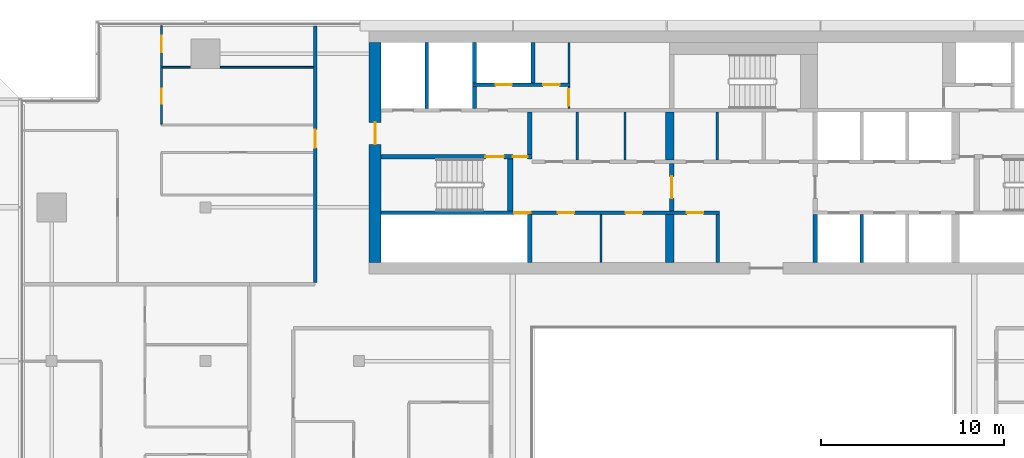
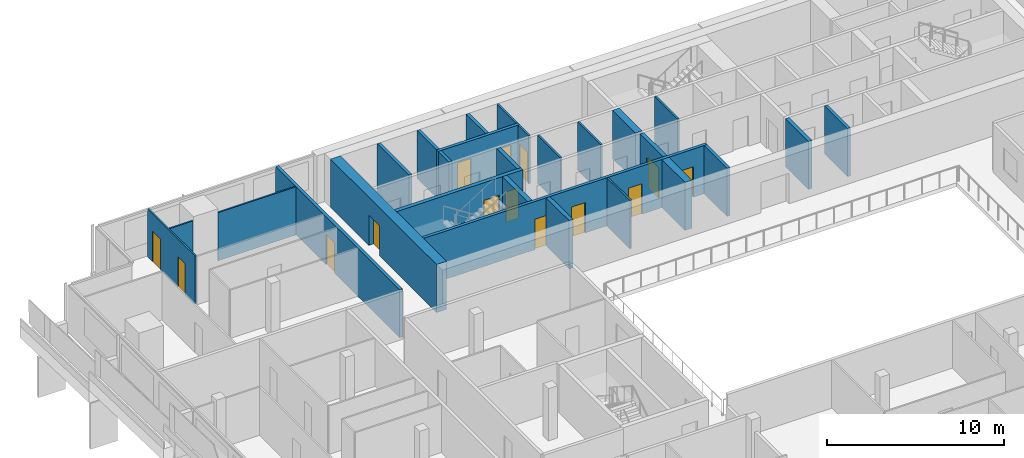
# One storey, part 20 of 28: 27 walls, 14 doors, 14 openings.
"""IFC4 building model written with IfcOpenShell, lengths in metres."""

from ifc_helpers import new_model, si_unit, direction, frame, frame_2d, origin, place, context, subcontext, project, spatial, rectangle, extrude, material, layer, layer_set, type_object, element, fill, save


model = new_model("IFC4")

# Units and contexts
model_context = context("Model", 3, precision=1e-05, world=origin(), true_north=direction((0.0, 1.0)))
body_context = subcontext(model_context, "Body", "Model", "MODEL_VIEW")
ifc_project = project(units=[si_unit("LENGTHUNIT", "METRE"), si_unit("AREAUNIT", "SQUARE_METRE"), si_unit("VOLUMEUNIT", "CUBIC_METRE"), si_unit("PLANEANGLEUNIT", "RADIAN"), si_unit("MASSUNIT", "GRAM", prefix="KILO")], contexts=[model_context])

# Site, building, storey
site_placement = place(None, origin())
site = spatial("IfcSite", under=ifc_project, at=site_placement, CompositionType="ELEMENT")
building_placement = place(site_placement, origin())
building = spatial("IfcBuilding", under=site, at=building_placement, Name="Saffron Gate Tower", CompositionType="ELEMENT")
storey_placement = place(building_placement, frame((0.0, 0.0, 241.5)))
storey = spatial("IfcBuildingStorey", under=building, at=storey_placement, Name="L59", CompositionType="ELEMENT", Elevation=241.5)

# Walls
ifc_material_1 = material(Name="Gypsum board partition on steel studs", Category="steel")
ifc_layer_1 = layer(ifc_material_1, 0.199951171875)
ifc_layer_set_1 = layer_set([ifc_layer_1], Name="CW10 Core partition 200")
wall_type_1 = type_object("IfcWallType", Name="CW10 Core partition 200", PredefinedType="PARTITIONING", material=ifc_layer_set_1)
wall_1_placement = place(storey_placement, frame((86.199951171875, 62.39990234375, 0.0), z_axis=(0.0, 0.0, 1.0), x_axis=(0.0, 1.0, 0.0)))
element("IfcWall", 1, at=wall_1_placement, inside=storey, type_object=wall_type_1, Name="Wall CW10-L59-8", PredefinedType="PARTITIONING", context=body_context, shape_type="SweptSolid", body=[
    extrude(rectangle(XDim=2.60009765625, YDim=0.199951171875, at=frame_2d((1.300048828125, 0.0))), origin(), (0.0, 0.0, 1.0), 3.320068359375),
])
ifc_material_2 = material(Name="Concrete C60", Category="concrete")
ifc_layer_2 = layer(ifc_material_2, 0.25)
ifc_layer_set_2 = layer_set([ifc_layer_2], Name="CW14 RC core wall 250 C60")
wall_type_2 = type_object("IfcWallType", Name="CW14 RC core wall 250 C60", PredefinedType="SOLIDWALL", material=ifc_layer_set_2)
for number, where, z_axis, x_axis, name in (
    (2, (75.925048828125, 62.39990234375, 0.0), (0.0, 0.0, 1.0), (0.0, 1.0, 0.0), "Wall CW14-L59-5"),
    (3, (91.52490234375, 62.39990234375, 0.0), (0.0, 0.0, 1.0), (0.0, 1.0, 0.0), "Wall CW14-L59-9"),
):
    element("IfcWall", number, at=place(storey_placement, frame(where, z_axis=z_axis, x_axis=x_axis)), inside=storey, type_object=wall_type_2, Name=name, PredefinedType="SOLIDWALL", context=body_context, shape_type="SweptSolid", body=[
        extrude(rectangle(XDim=2.60009765625, YDim=0.25, at=frame_2d((1.300048828125, 0.0))), origin(), (0.0, 0.0, 1.0), 3.320068359375),
    ])

# Wall, opening, door
wall_2_placement = place(storey_placement, frame((83.675048828125, 65.199951171875, 0.0), z_axis=(0.0, 0.0, 1.0), x_axis=(0.0, 1.0, 0.0)))
wall_2 = element("IfcWall", 4, at=wall_2_placement, inside=storey, type_object=wall_type_2, Name="Wall CW14-L59-16", PredefinedType="SOLIDWALL", context=body_context, shape_type="SweptSolid", body=[
    extrude(rectangle(XDim=2.60009765625, YDim=0.25, at=frame_2d((1.300048828125, 0.0))), origin(), (0.0, 0.0, 1.0), 3.320068359375),
])
opening_1_placement = place(wall_2_placement, frame((0.699951171875, 0.0, 0.0)))
opening_1 = element("IfcOpeningElement", 5, at=opening_1_placement, cuts=wall_2, Name="Opening CR-07", PredefinedType="OPENING", context=body_context, shape_type="SweptSolid", body=[
    extrude(rectangle(XDim=1.199951171875, YDim=2.10009765625, at=frame_2d((0.60009765625, 1.050048828125))), frame((0.0, 0.135009765625, 0.0), z_axis=(0.0, -1.0, 0.0), x_axis=(1.0, 0.0, 0.0)), (0.0, 0.0, 1.0), 0.27001953125),
])
ifc_material_3 = material(Name="Steel fire door set", Category="steel")
door_type_1 = type_object("IfcDoorType", Name="CD3 Lobby door 1200x2100 EI 120", OperationType="NOTDEFINED", PredefinedType="DOOR", material=ifc_material_3)
door_1_placement = place(opening_1_placement, origin())
door_1 = element("IfcDoor", 6, at=door_1_placement, inside=storey, type_object=door_type_1, Name="DOOR CR-07", OperationType="SINGLE_SWING_RIGHT", OverallHeight=2.10009765625, OverallWidth=1.199951171875, PredefinedType="DOOR", context=body_context, shape_type="SweptSolid", body=[
    extrude(rectangle(XDim=1.199951171875, YDim=2.10009765625, at=frame_2d((0.60009765625, 1.050048828125))), frame((0.0, 0.02490234375, 0.0), z_axis=(0.0, -1.0, 0.0), x_axis=(1.0, 0.0, 0.0)), (0.0, 0.0, 1.0), 0.050048828125),
])
fill(opening_1, door_1)

# Wall, openings, doors
wall_3_placement = place(storey_placement, frame((67.800048828125, 68.175048828125, 0.0), z_axis=(0.0, 0.0, 1.0), x_axis=(1.0, 0.0, 0.0)))
wall_3 = element("IfcWall", 7, at=wall_3_placement, inside=storey, type_object=wall_type_2, Name="Wall CW14-L59-29", PredefinedType="SOLIDWALL", context=body_context, shape_type="SweptSolid", body=[
    extrude(rectangle(XDim=8.25, YDim=0.25, at=frame_2d((4.125, 0.0))), origin(), (0.0, 0.0, 1.0), 3.320068359375),
])
opening_2_placement = place(wall_3_placement, frame((5.699951171875, 0.0, 0.0)))
opening_2 = element("IfcOpeningElement", 8, at=opening_2_placement, cuts=wall_3, Name="Opening CR-15", PredefinedType="OPENING", context=body_context, shape_type="SweptSolid", body=[
    extrude(rectangle(XDim=1.0, YDim=2.10009765625, at=frame_2d((0.5, 1.050048828125))), frame((0.0, 0.135009765625, 0.0), z_axis=(0.0, -1.0, 0.0), x_axis=(1.0, 0.0, 0.0)), (0.0, 0.0, 1.0), 0.27001953125),
])
opening_3_placement = place(wall_3_placement, frame((7.199951171875, 0.0, 0.0)))
opening_3 = element("IfcOpeningElement", 9, at=opening_3_placement, cuts=wall_3, Name="Opening CR-06", PredefinedType="OPENING", context=body_context, shape_type="SweptSolid", body=[
    extrude(rectangle(XDim=0.800048828125, YDim=2.10009765625, at=frame_2d((0.39990234375, 1.050048828125))), frame((0.0, 0.135009765625, 0.0), z_axis=(0.0, -1.0, 0.0), x_axis=(1.0, 0.0, 0.0)), (0.0, 0.0, 1.0), 0.27001953125),
])
door_type_2 = type_object("IfcDoorType", Name="CD5 Stair door 1000x2100 EI 120", OperationType="NOTDEFINED", PredefinedType="DOOR", material=ifc_material_3)
door_2_placement = place(opening_2_placement, origin())
door_2 = element("IfcDoor", 10, at=door_2_placement, inside=storey, type_object=door_type_2, Name="DOOR CR-15", OperationType="SINGLE_SWING_RIGHT", OverallHeight=2.10009765625, OverallWidth=1.0, PredefinedType="DOOR", context=body_context, shape_type="SweptSolid", body=[
    extrude(rectangle(XDim=1.0, YDim=2.10009765625, at=frame_2d((0.5, 1.050048828125))), frame((0.0, 0.02490234375, 0.0), z_axis=(0.0, -1.0, 0.0), x_axis=(1.0, 0.0, 0.0)), (0.0, 0.0, 1.0), 0.050048828125),
])
fill(opening_2, door_2)
door_type_3 = type_object("IfcDoorType", Name="CD6 Lobby door 800x2100 EI 120", OperationType="NOTDEFINED", PredefinedType="DOOR", material=ifc_material_3)
door_3_placement = place(opening_3_placement, origin())
door_3 = element("IfcDoor", 11, at=door_3_placement, inside=storey, type_object=door_type_3, Name="DOOR CR-06", OperationType="SINGLE_SWING_LEFT", OverallHeight=2.10009765625, OverallWidth=0.800048828125, PredefinedType="DOOR", context=body_context, shape_type="SweptSolid", body=[
    extrude(rectangle(XDim=0.800048828125, YDim=2.10009765625, at=frame_2d((0.39990234375, 1.050048828125))), frame((0.0, 0.02490234375, 0.0), z_axis=(0.0, -1.0, 0.0), x_axis=(1.0, 0.0, 0.0)), (0.0, 0.0, 1.0), 0.050048828125),
])
fill(opening_3, door_3)

# Walls
wall_4_placement = place(storey_placement, frame((75.925048828125, 68.300048828125, 0.0), z_axis=(0.0, 0.0, 1.0), x_axis=(0.0, 1.0, 0.0)))
element("IfcWall", 12, at=wall_4_placement, inside=storey, type_object=wall_type_2, Name="Wall CW14-L59-31", PredefinedType="SOLIDWALL", context=body_context, shape_type="SweptSolid", body=[
    extrude(rectangle(XDim=2.300048828125, YDim=0.25, at=frame_2d((1.14990234375, 0.0))), origin(), (0.0, 0.0, 1.0), 3.320068359375),
])
ifc_layer_3 = layer(ifc_material_2, 0.199951171875)
ifc_layer_set_3 = layer_set([ifc_layer_3], Name="CW15 RC core wall 200 C60")
wall_type_3 = type_object("IfcWallType", Name="CW15 RC core wall 200 C60", PredefinedType="SOLIDWALL", material=ifc_layer_set_3)
wall_5_placement = place(storey_placement, frame((94.050048828125, 62.39990234375, 0.0), z_axis=(0.0, 0.0, 1.0), x_axis=(0.0, 1.0, 0.0)))
element("IfcWall", 13, at=wall_5_placement, inside=storey, type_object=wall_type_3, Name="Wall CW15-L59-10", PredefinedType="SOLIDWALL", context=body_context, shape_type="SweptSolid", body=[
    extrude(rectangle(XDim=2.60009765625, YDim=0.199951171875, at=frame_2d((1.300048828125, 0.0))), origin(), (0.0, 0.0, 1.0), 3.320068359375),
])

# Wall, openings, doors
wall_6_placement = place(storey_placement, frame((67.800048828125, 65.10009765625, 0.0), z_axis=(0.0, 0.0, 1.0), x_axis=(1.0, 0.0, 0.0)))
wall_6 = element("IfcWall", 14, at=wall_6_placement, inside=storey, type_object=wall_type_3, Name="Wall CW15-L59-13", PredefinedType="SOLIDWALL", context=body_context, shape_type="SweptSolid", body=[
    extrude(rectangle(XDim=18.5, YDim=0.199951171875, at=frame_2d((9.25, 0.0))), origin(), (0.0, 0.0, 1.0), 3.320068359375),
])
opening_4_placement = place(wall_6_placement, frame((7.27001953125, 0.0, 0.0)))
opening_4 = element("IfcOpeningElement", 15, at=opening_4_placement, cuts=wall_6, Name="Opening CR-49", PredefinedType="OPENING", context=body_context, shape_type="SweptSolid", body=[
    extrude(rectangle(XDim=0.89990234375, YDim=2.10009765625, at=frame_2d((0.449951171875, 1.050048828125))), frame((0.0, 0.10986328125, 0.0), z_axis=(0.0, -1.0, 0.0), x_axis=(1.0, 0.0, 0.0)), (0.0, 0.0, 1.0), 0.219970703125),
])
opening_5_placement = place(wall_6_placement, frame((9.64990234375, 0.0, 0.0)))
opening_5 = element("IfcOpeningElement", 16, at=opening_5_placement, cuts=wall_6, Name="Opening CR-64", PredefinedType="OPENING", context=body_context, shape_type="SweptSolid", body=[
    extrude(rectangle(XDim=0.89990234375, YDim=2.10009765625, at=frame_2d((0.449951171875, 1.050048828125))), frame((0.0, 0.10986328125, 0.0), z_axis=(0.0, -1.0, 0.0), x_axis=(1.0, 0.0, 0.0)), (0.0, 0.0, 1.0), 0.219970703125),
])
opening_6_placement = place(wall_6_placement, frame((13.360107421875, 0.0, 0.0)))
opening_6 = element("IfcOpeningElement", 17, at=opening_6_placement, cuts=wall_6, Name="Opening CR-65", PredefinedType="OPENING", context=body_context, shape_type="SweptSolid", body=[
    extrude(rectangle(XDim=0.89990234375, YDim=2.10009765625, at=frame_2d((0.449951171875, 1.050048828125))), frame((0.0, 0.10986328125, 0.0), z_axis=(0.0, -1.0, 0.0), x_axis=(1.0, 0.0, 0.0)), (0.0, 0.0, 1.0), 0.219970703125),
])
opening_7_placement = place(wall_6_placement, frame((16.699951171875, 0.0, 0.0)))
opening_7 = element("IfcOpeningElement", 18, at=opening_7_placement, cuts=wall_6, Name="Opening CR-69", PredefinedType="OPENING", context=body_context, shape_type="SweptSolid", body=[
    extrude(rectangle(XDim=0.89990234375, YDim=2.10009765625, at=frame_2d((0.449951171875, 1.050048828125))), frame((0.0, 0.10986328125, 0.0), z_axis=(0.0, -1.0, 0.0), x_axis=(1.0, 0.0, 0.0)), (0.0, 0.0, 1.0), 0.219970703125),
])
door_type_4 = type_object("IfcDoorType", Name="CD2 Riser door 900x2100 EI 60", OperationType="NOTDEFINED", PredefinedType="DOOR", material=ifc_material_3)
door_4_placement = place(opening_4_placement, origin())
door_4 = element("IfcDoor", 19, at=door_4_placement, inside=storey, type_object=door_type_4, Name="DOOR CR-49", OperationType="SINGLE_SWING_LEFT", OverallHeight=2.10009765625, OverallWidth=0.89990234375, PredefinedType="DOOR", context=body_context, shape_type="SweptSolid", body=[
    extrude(rectangle(XDim=0.89990234375, YDim=2.10009765625, at=frame_2d((0.449951171875, 1.050048828125))), frame((0.0, 0.02490234375, 0.0), z_axis=(0.0, -1.0, 0.0), x_axis=(1.0, 0.0, 0.0)), (0.0, 0.0, 1.0), 0.050048828125),
])
fill(opening_4, door_4)
door_type_5 = type_object("IfcDoorType", Name="CD9 Room door 900x2100 EI 60", OperationType="NOTDEFINED", PredefinedType="DOOR", material=ifc_material_3)
door_5_placement = place(opening_5_placement, origin())
door_5 = element("IfcDoor", 20, at=door_5_placement, inside=storey, type_object=door_type_5, Name="DOOR CR-64", OperationType="SINGLE_SWING_RIGHT", OverallHeight=2.10009765625, OverallWidth=0.89990234375, PredefinedType="DOOR", context=body_context, shape_type="SweptSolid", body=[
    extrude(rectangle(XDim=0.89990234375, YDim=2.10009765625, at=frame_2d((0.449951171875, 1.050048828125))), frame((0.0, 0.02490234375, 0.0), z_axis=(0.0, -1.0, 0.0), x_axis=(1.0, 0.0, 0.0)), (0.0, 0.0, 1.0), 0.050048828125),
])
fill(opening_5, door_5)
door_6_placement = place(opening_6_placement, origin())
door_6 = element("IfcDoor", 21, at=door_6_placement, inside=storey, type_object=door_type_5, Name="DOOR CR-65", OperationType="SINGLE_SWING_RIGHT", OverallHeight=2.10009765625, OverallWidth=0.89990234375, PredefinedType="DOOR", context=body_context, shape_type="SweptSolid", body=[
    extrude(rectangle(XDim=0.89990234375, YDim=2.10009765625, at=frame_2d((0.449951171875, 1.050048828125))), frame((0.0, 0.02490234375, 0.0), z_axis=(0.0, -1.0, 0.0), x_axis=(1.0, 0.0, 0.0)), (0.0, 0.0, 1.0), 0.050048828125),
])
fill(opening_6, door_6)
door_7_placement = place(opening_7_placement, origin())
door_7 = element("IfcDoor", 22, at=door_7_placement, inside=storey, type_object=door_type_5, Name="DOOR CR-69", OperationType="SINGLE_SWING_RIGHT", OverallHeight=2.10009765625, OverallWidth=0.89990234375, PredefinedType="DOOR", context=body_context, shape_type="SweptSolid", body=[
    extrude(rectangle(XDim=0.89990234375, YDim=2.10009765625, at=frame_2d((0.449951171875, 1.050048828125))), frame((0.0, 0.02490234375, 0.0), z_axis=(0.0, -1.0, 0.0), x_axis=(1.0, 0.0, 0.0)), (0.0, 0.0, 1.0), 0.050048828125),
])
fill(opening_7, door_7)

# Walls
wall_7_placement = place(storey_placement, frame((70.300048828125, 70.800048828125, 0.0), z_axis=(0.0, 0.0, 1.0), x_axis=(0.0, 1.0, 0.0)))
element("IfcWall", 23, at=wall_7_placement, inside=storey, type_object=wall_type_3, Name="Wall CW15-L59-34", PredefinedType="SOLIDWALL", context=body_context, shape_type="SweptSolid", body=[
    extrude(rectangle(XDim=3.599853515625, YDim=0.199951171875, at=frame_2d((1.7998046875, 0.0))), origin(), (0.0, 0.0, 1.0), 3.320068359375),
])
wall_8_placement = place(storey_placement, frame((72.89990234375, 70.800048828125, 0.0), z_axis=(0.0, 0.0, 1.0), x_axis=(0.0, 1.0, 0.0)))
element("IfcWall", 24, at=wall_8_placement, inside=storey, type_object=wall_type_3, Name="Wall CW15-L59-35", PredefinedType="SOLIDWALL", context=body_context, shape_type="SweptSolid", body=[
    extrude(rectangle(XDim=1.199951171875, YDim=0.199951171875, at=frame_2d((0.60009765625, 0.0))), origin(), (0.0, 0.0, 1.0), 3.320068359375),
])

# Wall, openings, doors
wall_9_placement = place(storey_placement, frame((72.800048828125, 72.10009765625, 0.0), z_axis=(0.0, 0.0, 1.0), x_axis=(1.0, 0.0, 0.0)))
wall_9 = element("IfcWall", 25, at=wall_9_placement, inside=storey, type_object=wall_type_3, Name="Wall CW15-L59-42", PredefinedType="SOLIDWALL", context=body_context, shape_type="SweptSolid", body=[
    extrude(rectangle(XDim=5.320068359375, YDim=0.199951171875, at=frame_2d((2.66015625, 0.0))), origin(), (0.0, 0.0, 1.0), 3.320068359375),
])
opening_8_placement = place(wall_9_placement, frame((1.25, 0.0, 0.0)))
opening_8 = element("IfcOpeningElement", 26, at=opening_8_placement, cuts=wall_9, Name="Opening CR-71", PredefinedType="OPENING", context=body_context, shape_type="SweptSolid", body=[
    extrude(rectangle(XDim=0.89990234375, YDim=2.10009765625, at=frame_2d((0.449951171875, 1.050048828125))), frame((0.0, 0.10986328125, 0.0), z_axis=(0.0, -1.0, 0.0), x_axis=(1.0, 0.0, 0.0)), (0.0, 0.0, 1.0), 0.219970703125),
])
opening_9_placement = place(wall_9_placement, frame((3.85009765625, 0.0, 0.0)))
opening_9 = element("IfcOpeningElement", 27, at=opening_9_placement, cuts=wall_9, Name="Opening CR-55", PredefinedType="OPENING", context=body_context, shape_type="SweptSolid", body=[
    extrude(rectangle(XDim=0.89990234375, YDim=2.10009765625, at=frame_2d((0.449951171875, 1.050048828125))), frame((0.0, 0.10986328125, 0.0), z_axis=(0.0, -1.0, 0.0), x_axis=(1.0, 0.0, 0.0)), (0.0, 0.0, 1.0), 0.219970703125),
])
door_8_placement = place(opening_8_placement, origin())
door_8 = element("IfcDoor", 28, at=door_8_placement, inside=storey, type_object=door_type_4, Name="DOOR CR-71", OperationType="SINGLE_SWING_LEFT", OverallHeight=2.10009765625, OverallWidth=0.89990234375, PredefinedType="DOOR", context=body_context, shape_type="SweptSolid", body=[
    extrude(rectangle(XDim=0.89990234375, YDim=2.10009765625, at=frame_2d((0.449951171875, 1.050048828125))), frame((0.0, 0.02490234375, 0.0), z_axis=(0.0, -1.0, 0.0), x_axis=(1.0, 0.0, 0.0)), (0.0, 0.0, 1.0), 0.050048828125),
])
fill(opening_8, door_8)
door_9_placement = place(opening_9_placement, origin())
door_9 = element("IfcDoor", 29, at=door_9_placement, inside=storey, type_object=door_type_5, Name="DOOR CR-55", OperationType="SINGLE_SWING_LEFT", OverallHeight=2.10009765625, OverallWidth=0.89990234375, PredefinedType="DOOR", context=body_context, shape_type="SweptSolid", body=[
    extrude(rectangle(XDim=0.89990234375, YDim=2.10009765625, at=frame_2d((0.449951171875, 1.050048828125))), frame((0.0, 0.02490234375, 0.0), z_axis=(0.0, -1.0, 0.0), x_axis=(1.0, 0.0, 0.0)), (0.0, 0.0, 1.0), 0.050048828125),
])
fill(opening_9, door_9)

# Walls
for number, where, z_axis, x_axis, name in (
    (30, (72.89990234375, 72.199951171875, 0.0), (0.0, 0.0, 1.0), (0.0, 1.0, 0.0), "Wall CW15-L59-44"),
    (31, (76.10009765625, 72.199951171875, 0.0), (0.0, 0.0, 1.0), (0.0, 1.0, 0.0), "Wall CW15-L59-45"),
):
    element("IfcWall", number, at=place(storey_placement, frame(where, z_axis=z_axis, x_axis=x_axis)), inside=storey, type_object=wall_type_3, Name=name, PredefinedType="SOLIDWALL", context=body_context, shape_type="SweptSolid", body=[
        extrude(rectangle(XDim=2.199951171875, YDim=0.199951171875, at=frame_2d((1.10009765625, 0.0))), origin(), (0.0, 0.0, 1.0), 3.320068359375),
    ])
ifc_layer_4 = layer(ifc_material_2, 0.449951171875)
ifc_layer_set_4 = layer_set([ifc_layer_4], Name="CW16 RC core wall 450 C60")
wall_type_4 = type_object("IfcWallType", Name="CW16 RC core wall 450 C60", PredefinedType="SOLIDWALL", material=ifc_layer_set_4)
for number, where, z_axis, x_axis, name in (
    (32, (83.574951171875, 62.39990234375, 0.0), (0.0, 0.0, 1.0), (0.0, 1.0, 0.0), "Wall CW16-L59-7"),
    (33, (83.574951171875, 68.0, 0.0), (0.0, 0.0, 1.0), (0.0, 1.0, 0.0), "Wall CW16-L59-22"),
):
    element("IfcWall", number, at=place(storey_placement, frame(where, z_axis=z_axis, x_axis=x_axis)), inside=storey, type_object=wall_type_4, Name=name, PredefinedType="SOLIDWALL", context=body_context, shape_type="SweptSolid", body=[
        extrude(rectangle(XDim=2.60009765625, YDim=0.449951171875, at=frame_2d((1.300048828125, 0.0))), origin(), (0.0, 0.0, 1.0), 3.320068359375),
    ])
ifc_layer_5 = layer(ifc_material_2, 0.300048828125)
ifc_layer_set_5 = layer_set([ifc_layer_5], Name="CW17 RC core wall 300 C60")
wall_type_5 = type_object("IfcWallType", Name="CW17 RC core wall 300 C60", PredefinedType="SOLIDWALL", material=ifc_layer_set_5)
wall_10_placement = place(storey_placement, frame((74.85009765625, 65.199951171875, 0.0), z_axis=(0.0, 0.0, 1.0), x_axis=(0.0, 1.0, 0.0)))
element("IfcWall", 34, at=wall_10_placement, inside=storey, type_object=wall_type_5, Name="Wall CW17-L59-15", PredefinedType="SOLIDWALL", context=body_context, shape_type="SweptSolid", body=[
    extrude(rectangle(XDim=2.85009765625, YDim=0.300048828125, at=frame_2d((1.425048828125, 0.0))), origin(), (0.0, 0.0, 1.0), 3.320068359375),
])

# Wall, opening, door
ifc_layer_6 = layer(ifc_material_2, 0.64990234375)
ifc_layer_set_6 = layer_set([ifc_layer_6], Name="CW20 RC core wall 650 C60")
wall_type_6 = type_object("IfcWallType", Name="CW20 RC core wall 650 C60", PredefinedType="SOLIDWALL", material=ifc_layer_set_6)
wall_11_placement = place(storey_placement, frame((67.47509765625, 62.39990234375, 0.0), z_axis=(0.0, 0.0, 1.0), x_axis=(0.0, 1.0, 0.0)))
wall_11 = element("IfcWall", 35, at=wall_11_placement, inside=storey, type_object=wall_type_6, Name="Wall CW20-L59-3", PredefinedType="SOLIDWALL", context=body_context, shape_type="SweptSolid", body=[
    extrude(rectangle(XDim=12.0, YDim=0.64990234375, at=frame_2d((6.0, 0.0))), origin(), (0.0, 0.0, 1.0), 3.320068359375),
])
opening_10_placement = place(wall_11_placement, frame((6.449951171875, 0.0, 0.0)))
opening_10 = element("IfcOpeningElement", 36, at=opening_10_placement, cuts=wall_11, Name="Opening CR-10", PredefinedType="OPENING", context=body_context, shape_type="SweptSolid", body=[
    extrude(rectangle(XDim=1.199951171875, YDim=2.10009765625, at=frame_2d((0.60009765625, 1.050048828125))), frame((0.0, 0.3349609375, 0.0), z_axis=(0.0, -1.0, 0.0), x_axis=(1.0, 0.0, 0.0)), (0.0, 0.0, 1.0), 0.669921875),
])
door_type_6 = type_object("IfcDoorType", Name="CD7 Core entrance door 1200x2100 EI 120", OperationType="NOTDEFINED", PredefinedType="DOOR", material=ifc_material_3)
door_10_placement = place(opening_10_placement, origin())
door_10 = element("IfcDoor", 37, at=door_10_placement, inside=storey, type_object=door_type_6, Name="DOOR CR-10", OperationType="SINGLE_SWING_LEFT", OverallHeight=2.10009765625, OverallWidth=1.199951171875, PredefinedType="DOOR", context=body_context, shape_type="SweptSolid", body=[
    extrude(rectangle(XDim=1.199951171875, YDim=2.10009765625, at=frame_2d((0.60009765625, 1.050048828125))), frame((0.0, 0.02490234375, 0.0), z_axis=(0.0, -1.0, 0.0), x_axis=(1.0, 0.0, 0.0)), (0.0, 0.0, 1.0), 0.050048828125),
])
fill(opening_10, door_10)

# Walls
ifc_layer_7 = layer(ifc_material_1, 0.1201171875)
ifc_layer_set_7 = layer_set([ifc_layer_7], Name="CW8 Core partition 120")
wall_type_7 = type_object("IfcWallType", Name="CW8 Core partition 120", PredefinedType="PARTITIONING", material=ifc_layer_set_7)
for number, where, z_axis, x_axis, name in (
    (38, (79.81005859375, 62.39990234375, 0.0), (0.0, 0.0, 1.0), (0.0, 1.0, 0.0), "Wall CW8-L59-6"),
    (39, (78.510009765625, 68.0, 0.0), (0.0, 0.0, 1.0), (0.0, 1.0, 0.0), "Wall CW8-L59-20"),
    (40, (81.1298828125, 68.0, 0.0), (0.0, 0.0, 1.0), (0.0, 1.0, 0.0), "Wall CW8-L59-21"),
    (41, (86.159912109375, 68.0, 0.0), (0.0, 0.0, 1.0), (0.0, 1.0, 0.0), "Wall CW8-L59-23"),
):
    element("IfcWall", number, at=place(storey_placement, frame(where, z_axis=z_axis, x_axis=x_axis)), inside=storey, type_object=wall_type_7, Name=name, PredefinedType="PARTITIONING", context=body_context, shape_type="SweptSolid", body=[
        extrude(rectangle(XDim=2.60009765625, YDim=0.1201171875, at=frame_2d((1.300048828125, 0.0))), origin(), (0.0, 0.0, 1.0), 3.320068359375),
    ])

# Wall, opening, door
wall_12_placement = place(storey_placement, frame((78.06005859375, 70.800048828125, 0.0), z_axis=(0.0, 0.0, 1.0), x_axis=(0.0, 1.0, 0.0)))
wall_12 = element("IfcWall", 42, at=wall_12_placement, inside=storey, type_object=wall_type_7, Name="Wall CW8-L59-36", PredefinedType="PARTITIONING", context=body_context, shape_type="SweptSolid", body=[
    extrude(rectangle(XDim=1.199951171875, YDim=0.1201171875, at=frame_2d((0.60009765625, 0.0))), origin(), (0.0, 0.0, 1.0), 3.320068359375),
])
opening_11_placement = place(wall_12_placement, frame((0.14990234375, 0.0, 0.0)))
opening_11 = element("IfcOpeningElement", 43, at=opening_11_placement, cuts=wall_12, Name="Opening CR-60", PredefinedType="OPENING", context=body_context, shape_type="SweptSolid", body=[
    extrude(rectangle(XDim=0.89990234375, YDim=2.10009765625, at=frame_2d((0.449951171875, 1.050048828125))), frame((0.0, 0.070068359375, 0.0), z_axis=(0.0, -1.0, 0.0), x_axis=(1.0, 0.0, 0.0)), (0.0, 0.0, 1.0), 0.14013671875),
])
door_11_placement = place(opening_11_placement, origin())
door_11 = element("IfcDoor", 44, at=door_11_placement, inside=storey, type_object=door_type_5, Name="DOOR CR-60", OperationType="SINGLE_SWING_RIGHT", OverallHeight=2.10009765625, OverallWidth=0.89990234375, PredefinedType="DOOR", context=body_context, shape_type="SweptSolid", body=[
    extrude(rectangle(XDim=0.89990234375, YDim=2.10009765625, at=frame_2d((0.449951171875, 1.050048828125))), frame((0.0, 0.02490234375, 0.0), z_axis=(0.0, -1.0, 0.0), x_axis=(1.0, 0.0, 0.0)), (0.0, 0.0, 1.0), 0.050048828125),
])
fill(opening_11, door_11)

# Walls
wall_13_placement = place(storey_placement, frame((78.06005859375, 72.199951171875, 0.0), z_axis=(0.0, 0.0, 1.0), x_axis=(0.0, 1.0, 0.0)))
element("IfcWall", 45, at=wall_13_placement, inside=storey, type_object=wall_type_7, Name="Wall CW8-L59-46", PredefinedType="PARTITIONING", context=body_context, shape_type="SweptSolid", body=[
    extrude(rectangle(XDim=2.199951171875, YDim=0.1201171875, at=frame_2d((1.10009765625, 0.0))), origin(), (0.0, 0.0, 1.0), 3.320068359375),
])
ifc_material_4 = material(Name="Plasterboard on steel studs", Category="steel")
ifc_layer_8 = layer(ifc_material_4, 0.10009765625)
ifc_layer_set_8 = layer_set([ifc_layer_8], Name="PW1 Partition 100")
wall_type_8 = type_object("IfcWallType", Name="PW1 Partition 100", PredefinedType="PARTITIONING", material=ifc_layer_set_8)
wall_14_placement = place(storey_placement, frame((55.85009765625, 73.0546875, 0.0), z_axis=(0.0, 0.0, 1.0), x_axis=(1.0, 0.0, 0.0)))
element("IfcWall", 46, at=wall_14_placement, inside=storey, type_object=wall_type_8, Name="Partition D4-57", PredefinedType="PARTITIONING", context=body_context, shape_type="SweptSolid", body=[
    extrude(rectangle(XDim=1.52978515625, YDim=0.10009765625, at=frame_2d((0.764892578125, 0.0))), origin(), (0.0, 0.0, 1.0), 3.320068359375),
])
wall_15_placement = place(storey_placement, frame((59.02001953125, 73.0546875, 0.0), z_axis=(0.0, 0.0, 1.0), x_axis=(1.0, 0.0, 0.0)))
element("IfcWall", 47, at=wall_15_placement, inside=storey, type_object=wall_type_8, Name="Partition D4-58", PredefinedType="PARTITIONING", context=body_context, shape_type="SweptSolid", body=[
    extrude(rectangle(XDim=5.080078125, YDim=0.10009765625, at=frame_2d((2.5400390625, 0.0))), origin(), (0.0, 0.0, 1.0), 3.320068359375),
])

# Wall, openings, doors
wall_16_placement = place(storey_placement, frame((55.800048828125, 75.320068359375, 0.0), z_axis=(0.0, 0.0, 1.0), x_axis=(0.0, -1.0, 0.0)))
wall_16 = element("IfcWall", 48, at=wall_16_placement, inside=storey, type_object=wall_type_8, Name="Partition D4-66", PredefinedType="PARTITIONING", context=body_context, shape_type="SweptSolid", body=[
    extrude(rectangle(XDim=5.3701171875, YDim=0.10009765625, at=frame_2d((2.68505859375, 0.0))), origin(), (0.0, 0.0, 1.0), 3.320068359375),
])
opening_12_placement = place(wall_16_placement, frame((0.54248046875, 0.0, 0.0)))
opening_12 = element("IfcOpeningElement", 49, at=opening_12_placement, cuts=wall_16, Name="Opening D4-28", PredefinedType="OPENING", context=body_context, shape_type="SweptSolid", body=[
    extrude(rectangle(XDim=0.89990234375, YDim=2.10009765625, at=frame_2d((0.449951171875, 1.050048828125))), frame((0.0, 0.06005859375, 0.0), z_axis=(0.0, -1.0, 0.0), x_axis=(1.0, 0.0, 0.0)), (0.0, 0.0, 1.0), 0.1201171875),
])
opening_13_placement = place(wall_16_placement, frame((3.442626953125, 0.0, 0.0)))
opening_13 = element("IfcOpeningElement", 50, at=opening_13_placement, cuts=wall_16, Name="Opening D4-45", PredefinedType="OPENING", context=body_context, shape_type="SweptSolid", body=[
    extrude(rectangle(XDim=0.800048828125, YDim=2.10009765625, at=frame_2d((0.39990234375, 1.050048828125))), frame((0.0, 0.06005859375, 0.0), z_axis=(0.0, -1.0, 0.0), x_axis=(1.0, 0.0, 0.0)), (0.0, 0.0, 1.0), 0.1201171875),
])
ifc_material_5 = material(Name="Timber door set", Category="wood")
door_type_7 = type_object("IfcDoorType", Name="RD1 Room door 900x2100", OperationType="NOTDEFINED", PredefinedType="DOOR", material=ifc_material_5)
door_12_placement = place(opening_12_placement, origin())
door_12 = element("IfcDoor", 51, at=door_12_placement, inside=storey, type_object=door_type_7, Name="Door D4-28", OperationType="SINGLE_SWING_LEFT", OverallHeight=2.10009765625, OverallWidth=0.89990234375, PredefinedType="DOOR", context=body_context, shape_type="SweptSolid", body=[
    extrude(rectangle(XDim=0.89990234375, YDim=2.10009765625, at=frame_2d((0.449951171875, 1.050048828125))), frame((0.0, 0.02490234375, 0.0), z_axis=(0.0, -1.0, 0.0), x_axis=(1.0, 0.0, 0.0)), (0.0, 0.0, 1.0), 0.050048828125),
])
fill(opening_12, door_12)
door_type_8 = type_object("IfcDoorType", Name="RD2 Bathroom door 800x2100", OperationType="NOTDEFINED", PredefinedType="DOOR", material=ifc_material_5)
door_13_placement = place(opening_13_placement, origin())
door_13 = element("IfcDoor", 52, at=door_13_placement, inside=storey, type_object=door_type_8, Name="Door D4-45", OperationType="SINGLE_SWING_RIGHT", OverallHeight=2.10009765625, OverallWidth=0.800048828125, PredefinedType="DOOR", context=body_context, shape_type="SweptSolid", body=[
    extrude(rectangle(XDim=0.800048828125, YDim=2.10009765625, at=frame_2d((0.39990234375, 1.050048828125))), frame((0.0, 0.02490234375, 0.0), z_axis=(0.0, -1.0, 0.0), x_axis=(1.0, 0.0, 0.0)), (0.0, 0.0, 1.0), 0.050048828125),
])
fill(opening_13, door_13)

# Wall, opening, door
ifc_material_6 = material(Name="Clay brick masonry, rendered", Category="masonry")
ifc_layer_9 = layer(ifc_material_6, 0.199951171875)
ifc_layer_set_9 = layer_set([ifc_layer_9], Name="PW3 Corridor wall 200")
wall_type_9 = type_object("IfcWallType", Name="PW3 Corridor wall 200", PredefinedType="PARTITIONING", material=ifc_layer_set_9)
wall_17_placement = place(storey_placement, frame((64.199951171875, 61.300048828125, 0.0), z_axis=(0.0, 0.0, 1.0), x_axis=(0.0, 1.0, 0.0)))
wall_17 = element("IfcWall", 53, at=wall_17_placement, inside=storey, type_object=wall_type_9, Name="Wall D4-72", PredefinedType="PARTITIONING", context=body_context, shape_type="SweptSolid", body=[
    extrude(rectangle(XDim=14.02001953125, YDim=0.199951171875, at=frame_2d((7.010009765625, 0.0))), origin(), (0.0, 0.0, 1.0), 3.320068359375),
])
opening_14_placement = place(wall_17_placement, frame((7.35009765625, 0.0, 0.0)))
opening_14 = element("IfcOpeningElement", 54, at=opening_14_placement, cuts=wall_17, Name="Opening D4-5", PredefinedType="OPENING", context=body_context, shape_type="SweptSolid", body=[
    extrude(rectangle(XDim=1.0, YDim=2.10009765625, at=frame_2d((0.5, 1.050048828125))), frame((0.0, 0.10986328125, 0.0), z_axis=(0.0, -1.0, 0.0), x_axis=(1.0, 0.0, 0.0)), (0.0, 0.0, 1.0), 0.219970703125),
])
ifc_material_7 = material(Name="Timber fire door set", Category="wood")
door_type_9 = type_object("IfcDoorType", Name="FD1 Flat entry door 1000x2100", OperationType="NOTDEFINED", PredefinedType="DOOR", material=ifc_material_7)
door_14_placement = place(opening_14_placement, origin())
door_14 = element("IfcDoor", 55, at=door_14_placement, inside=storey, type_object=door_type_9, Name="Door D4-5", OperationType="SINGLE_SWING_LEFT", OverallHeight=2.10009765625, OverallWidth=1.0, PredefinedType="DOOR", context=body_context, shape_type="SweptSolid", body=[
    extrude(rectangle(XDim=1.0, YDim=2.10009765625, at=frame_2d((0.5, 1.050048828125))), frame((0.0, 0.02490234375, 0.0), z_axis=(0.0, -1.0, 0.0), x_axis=(1.0, 0.0, 0.0)), (0.0, 0.0, 1.0), 0.050048828125),
])
fill(opening_14, door_14)

save(model, "model.ifc")
